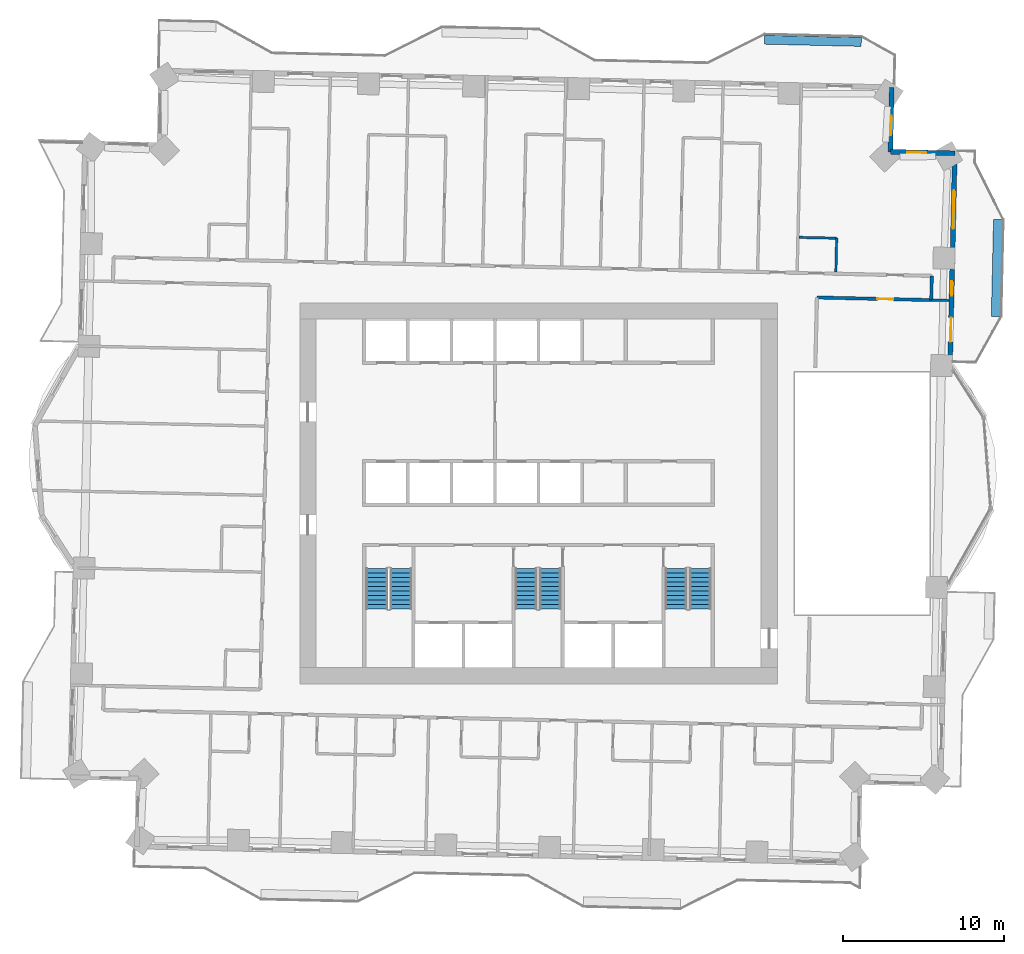
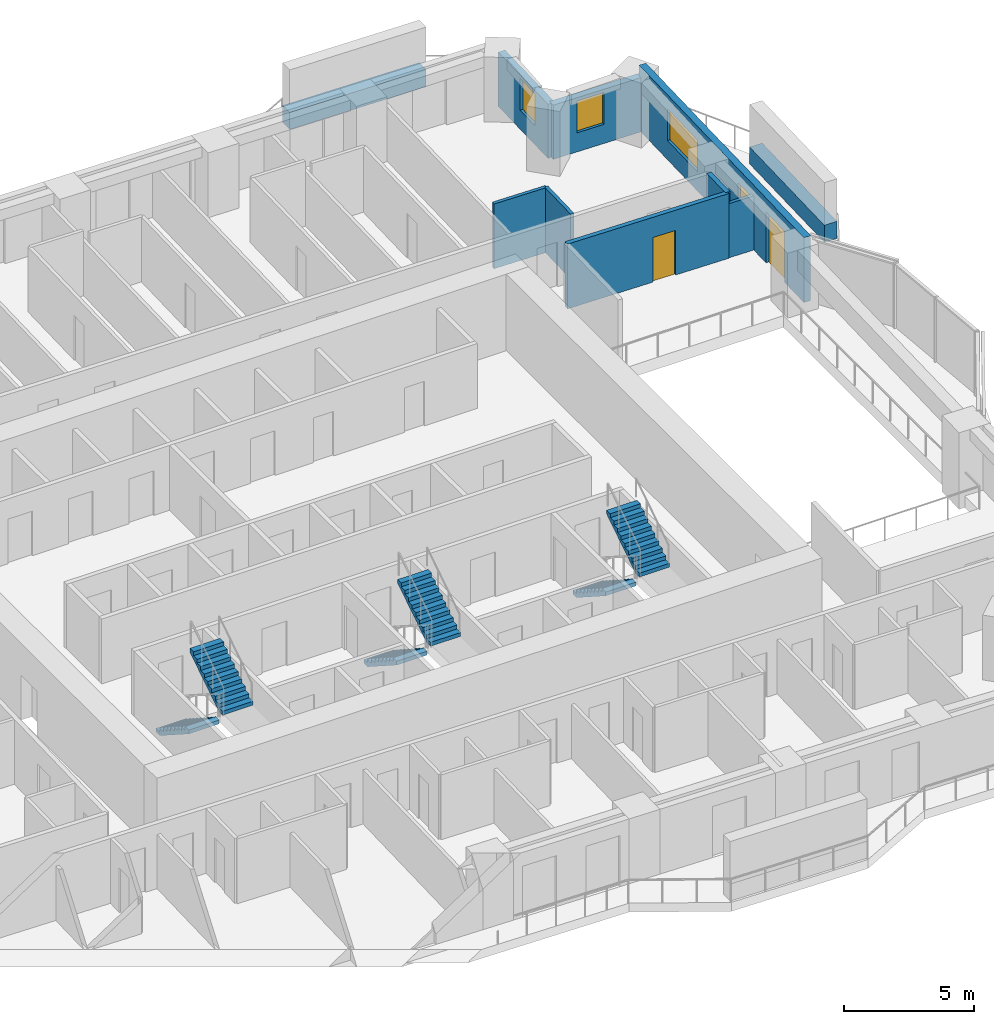
# One storey, part 12 of 16: 10 walls, 6 stair flights, 4 windows, 2 doors, 6 openings, 3 elements without a shape of their own.
"""IFC4 building model written with IfcOpenShell, lengths in metres."""

from ifc_helpers import new_model, si_unit, direction, frame, frame_2d, origin, place, context, subcontext, project, spatial, polyline, rectangle, outline, extrude, material, layer, layer_set, type_object, element, fill, aggregate, save


model = new_model("IFC4")

# Units and contexts
model_context = context("Model", 3, precision=1e-05, world=origin(), true_north=direction((0.0, 1.0)))
body_context = subcontext(model_context, "Body", "Model", "MODEL_VIEW")
ifc_project = project(units=[si_unit("LENGTHUNIT", "METRE"), si_unit("AREAUNIT", "SQUARE_METRE"), si_unit("VOLUMEUNIT", "CUBIC_METRE"), si_unit("PLANEANGLEUNIT", "RADIAN"), si_unit("MASSUNIT", "GRAM", prefix="KILO")], contexts=[model_context])

# Site, building, storey
site_placement = place(None, origin())
site = spatial("IfcSite", under=ifc_project, at=site_placement, CompositionType="ELEMENT")
building_placement = place(site_placement, origin())
building = spatial("IfcBuilding", under=site, at=building_placement, Name="Mangrove Gate Tower", CompositionType="ELEMENT")
storey_placement = place(building_placement, frame((0.0, 0.0, 112.699951171875)))
storey = spatial("IfcBuildingStorey", under=building, at=storey_placement, Name="L28", CompositionType="ELEMENT", Elevation=112.699951171875)

# Wall, opening, door
ifc_material_1 = material(Name="Gypsum board on steel stud, EI 60", Category="steel")
ifc_layer_1 = layer(ifc_material_1, 0.199951171875)
ifc_layer_set_1 = layer_set([ifc_layer_1], Name="Corridor wall EI 60")
wall_type_1 = type_object("IfcWallType", Name="Corridor wall EI 60", PredefinedType="PARTITIONING", material=ifc_layer_set_1)
wall_1_placement = place(storey_placement, frame((17.248046875, 12.14501953125, 0.0), z_axis=(0.0, 0.0, 1.0), x_axis=(0.999742350192, -0.022698749566, 0.0)))
wall_1 = element("IfcWall", 1, at=wall_1_placement, inside=storey, type_object=wall_type_1, Name="WALL-L28-047", PredefinedType="PARTITIONING", context=body_context, shape_type="SweptSolid", body=[
    extrude(rectangle(XDim=7.0986328125, YDim=0.199951171875, at=frame_2d((3.54931640625, 0.0))), origin(), (0.0, 0.0, 1.0), 3.050048828125),
])
opening_1_placement = place(wall_1_placement, frame((3.75, 0.0, 0.0)))
opening_1 = element("IfcOpeningElement", 2, at=opening_1_placement, cuts=wall_1, Name="Opening AD", PredefinedType="OPENING", context=body_context, shape_type="SweptSolid", body=[
    extrude(rectangle(XDim=1.0, YDim=2.10009765625, at=frame_2d((0.5, 1.050048828125))), frame((0.0, 0.10986328125, 0.0), z_axis=(0.0, -1.0, 0.0), x_axis=(1.0, 0.0, 0.0)), (0.0, 0.0, 1.0), 0.219970703125),
])
ifc_material_2 = material(Name="Timber door leaf", Category="wood")
door_type_1 = type_object("IfcDoorType", Name="Amenity door 1000", OperationType="SINGLE_SWING_LEFT", PredefinedType="DOOR", material=ifc_material_2)
door_1_placement = place(opening_1_placement, origin())
door_1 = element("IfcDoor", 3, at=door_1_placement, inside=storey, type_object=door_type_1, Name="DOOR-L28-LNG-c3a", OperationType="SINGLE_SWING_RIGHT", OverallHeight=2.10009765625, OverallWidth=1.0, PredefinedType="DOOR", context=body_context, shape_type="SweptSolid", body=[
    extrude(rectangle(XDim=1.0, YDim=2.10009765625, at=frame_2d((0.5, 1.050048828125))), frame((0.0, 0.02490234375, 0.0), z_axis=(0.0, -1.0, 0.0), x_axis=(1.0, 0.0, 0.0)), (0.0, 0.0, 1.0), 0.050048828125),
])
fill(opening_1, door_1)

# Wall
wall_2_placement = place(storey_placement, frame((24.341064453125, 11.988037109375, 0.0), z_axis=(0.0, 0.0, 1.0), x_axis=(0.022617910375, 0.999744182344, 0.0)))
element("IfcWall", 4, at=wall_2_placement, inside=storey, type_object=wall_type_1, Name="WALL-L28-050", PredefinedType="PARTITIONING", context=body_context, shape_type="SweptSolid", body=[
    extrude(rectangle(XDim=1.50048828125, YDim=0.199951171875, at=frame_2d((0.750244140625, 0.0))), origin(), (0.0, 0.0, 1.0), 3.050048828125),
])

# Wall, openings, door, windows
ifc_material_3 = material(Name="Limestone", Category="masonry")
ifc_layer_2 = layer(ifc_material_3, 0.0400390625, Name="Limestone cladding")
ifc_material_4 = material(Name="Ventilated air gap")
ifc_layer_3 = layer(ifc_material_4, 0.0400390625, Name="Ventilated cavity")
ifc_material_5 = material(Name="Mineral wool insulation")
ifc_layer_4 = layer(ifc_material_5, 0.06005859375, Name="Insulation")
ifc_material_6 = material(Name="Breather membrane")
ifc_layer_5 = layer(ifc_material_6, 0.001953125, Name="Breather membrane")
ifc_material_7 = material(Name="Concrete C20/25 blockwork", Category="masonry")
ifc_layer_6 = layer(ifc_material_7, 0.14990234375, Name="Blockwork backing wall")
ifc_material_8 = material(Name="Gypsum plaster")
ifc_layer_7 = layer(ifc_material_8, 0.008056640625, Name="Internal plaster")
ifc_layer_set_2 = layer_set([ifc_layer_2, ifc_layer_3, ifc_layer_4, ifc_layer_5, ifc_layer_6, ifc_layer_7], Name="External wall 300 limestone cladding")
wall_type_2 = type_object("IfcWallType", Name="External wall 300 limestone cladding", PredefinedType="SOLIDWALL", material=ifc_layer_set_2)
wall_3_placement = place(storey_placement, frame((25.501953125, 7.85693359375, 0.0), z_axis=(0.0, 0.0, 1.0), x_axis=(0.022680323815, 0.999742768372, 0.0)))
wall_3 = element("IfcWall", 5, at=wall_3_placement, inside=storey, type_object=wall_type_2, Name="WALL-L28-E2", PredefinedType="SOLIDWALL", context=body_context, shape_type="SweptSolid", body=[
    extrude(rectangle(XDim=13.2294921875, YDim=0.300048828125, at=frame_2d((6.61474609375, 0.0))), origin(), (0.0, 0.0, 1.0), 3.050048828125),
])
opening_2_placement = place(wall_3_placement, frame((1.5419921875, 0.0, 0.0)))
opening_2 = element("IfcOpeningElement", 6, at=opening_2_placement, cuts=wall_3, Name="Opening BD1", PredefinedType="OPENING", context=body_context, shape_type="SweptSolid", body=[
    extrude(rectangle(XDim=1.5, YDim=2.39990234375, at=frame_2d((0.75, 1.199951171875))), frame((0.0, 0.159912109375, 0.0), z_axis=(0.0, -1.0, 0.0), x_axis=(1.0, 0.0, 0.0)), (0.0, 0.0, 1.0), 0.320068359375),
])
opening_3_placement = place(wall_3_placement, frame((4.403076171875, 0.0, 0.89990234375)))
opening_3 = element("IfcOpeningElement", 7, at=opening_3_placement, cuts=wall_3, Name="Opening W5", PredefinedType="OPENING", context=body_context, shape_type="SweptSolid", body=[
    extrude(rectangle(XDim=0.89990234375, YDim=1.5, at=frame_2d((0.449951171875, 0.75))), frame((0.0, 0.159912109375, 0.0), z_axis=(0.0, -1.0, 0.0), x_axis=(1.0, 0.0, 0.0)), (0.0, 0.0, 1.0), 0.320068359375),
])
opening_4_placement = place(wall_3_placement, frame((8.549072265625, 0.0, 0.89990234375)))
opening_4 = element("IfcOpeningElement", 8, at=opening_4_placement, cuts=wall_3, Name="Opening W2", PredefinedType="OPENING", context=body_context, shape_type="SweptSolid", body=[
    extrude(rectangle(XDim=2.39990234375, YDim=1.5, at=frame_2d((1.199951171875, 0.75))), frame((0.0, 0.159912109375, 0.0), z_axis=(0.0, -1.0, 0.0), x_axis=(1.0, 0.0, 0.0)), (0.0, 0.0, 1.0), 0.320068359375),
])
ifc_material_9 = material(Name="Aluminium frame with laminated clear glass", Category="aluminium")
door_type_2 = type_object("IfcDoorType", Name="Balcony sliding door 1500x2400", OperationType="SLIDING_TO_LEFT", PredefinedType="DOOR", material=ifc_material_9)
door_2_placement = place(opening_2_placement, origin())
door_2 = element("IfcDoor", 9, at=door_2_placement, inside=storey, type_object=door_type_2, Name="DOOR-L28-E2-1", OperationType="SLIDING_TO_LEFT", OverallHeight=2.39990234375, OverallWidth=1.5, PredefinedType="DOOR", context=body_context, shape_type="SweptSolid", body=[
    extrude(rectangle(XDim=1.5, YDim=2.39990234375, at=frame_2d((0.75, 1.199951171875))), frame((0.0, 0.02490234375, 0.0), z_axis=(0.0, -1.0, 0.0), x_axis=(1.0, 0.0, 0.0)), (0.0, 0.0, 1.0), 0.050048828125),
])
fill(opening_2, door_2)
ifc_material_10 = material(Name="Aluminium frame with double-glazed low-e glass", Category="aluminium")
window_type_1 = type_object("IfcWindowType", Name="Corner room window 2400x1500", PartitioningType="DOUBLE_PANEL_VERTICAL", PredefinedType="WINDOW", material=ifc_material_10)
window_1_placement = place(opening_4_placement, origin())
window_1 = element("IfcWindow", 10, at=window_1_placement, inside=storey, type_object=window_type_1, Name="WIN-L28-E2-3", OverallHeight=1.5, OverallWidth=2.39990234375, PartitioningType="DOUBLE_PANEL_VERTICAL", PredefinedType="WINDOW", context=body_context, shape_type="SweptSolid", body=[
    extrude(rectangle(XDim=2.39990234375, YDim=1.5, at=frame_2d((1.199951171875, 0.75))), frame((0.0, 0.030029296875, 0.0), z_axis=(0.0, -1.0, 0.0), x_axis=(1.0, 0.0, 0.0)), (0.0, 0.0, 1.0), 0.06005859375),
])
fill(opening_4, window_1)
ifc_material_11 = material(Name="Aluminium frame with double-glazed low-e glass", Category="aluminium")
window_type_2 = type_object("IfcWindowType", Name="Narrow window 900x1500", PartitioningType="SINGLE_PANEL", PredefinedType="WINDOW", material=ifc_material_11)
window_2_placement = place(opening_3_placement, origin())
window_2 = element("IfcWindow", 11, at=window_2_placement, inside=storey, type_object=window_type_2, Name="WIN-L28-E2-2", OverallHeight=1.5, OverallWidth=0.89990234375, PartitioningType="SINGLE_PANEL", PredefinedType="WINDOW", context=body_context, shape_type="SweptSolid", body=[
    extrude(rectangle(XDim=0.89990234375, YDim=1.5, at=frame_2d((0.449951171875, 0.75))), frame((0.0, 0.030029296875, 0.0), z_axis=(0.0, -1.0, 0.0), x_axis=(1.0, 0.0, 0.0)), (0.0, 0.0, 1.0), 0.06005859375),
])
fill(opening_3, window_2)

# Wall, opening, window
wall_4_placement = place(storey_placement, frame((25.802001953125, 21.0830078125, 0.0), z_axis=(0.0, 0.0, 1.0), x_axis=(-0.999740826251, 0.022765770952, 0.0)))
wall_4 = element("IfcWall", 12, at=wall_4_placement, inside=storey, type_object=wall_type_2, Name="WALL-L28-N3", PredefinedType="SOLIDWALL", context=body_context, shape_type="SweptSolid", body=[
    extrude(rectangle(XDim=4.0, YDim=0.300048828125, at=frame_2d((2.0, 0.0))), origin(), (0.0, 0.0, 1.0), 2.550048828125),
])
opening_5_placement = place(wall_4_placement, frame((1.763916015625, 0.0, 0.89990234375)))
opening_5 = element("IfcOpeningElement", 13, at=opening_5_placement, cuts=wall_4, Name="Opening W1", PredefinedType="OPENING", context=body_context, shape_type="SweptSolid", body=[
    extrude(rectangle(XDim=1.199951171875, YDim=1.5, at=frame_2d((0.60009765625, 0.75))), frame((0.0, 0.159912109375, 0.0), z_axis=(0.0, -1.0, 0.0), x_axis=(1.0, 0.0, 0.0)), (0.0, 0.0, 1.0), 0.320068359375),
])
ifc_material_12 = material(Name="Aluminium frame with double-glazed low-e glass", Category="aluminium")
window_type_3 = type_object("IfcWindowType", Name="Side lite 1200x1500", PartitioningType="SINGLE_PANEL", PredefinedType="WINDOW", material=ifc_material_12)
window_3_placement = place(opening_5_placement, origin())
window_3 = element("IfcWindow", 14, at=window_3_placement, inside=storey, type_object=window_type_3, Name="WIN-L28-N3-1", OverallHeight=1.5, OverallWidth=1.199951171875, PartitioningType="SINGLE_PANEL", PredefinedType="WINDOW", context=body_context, shape_type="SweptSolid", body=[
    extrude(rectangle(XDim=1.199951171875, YDim=1.5, at=frame_2d((0.60009765625, 0.75))), frame((0.0, 0.030029296875, 0.0), z_axis=(0.0, -1.0, 0.0), x_axis=(1.0, 0.0, 0.0)), (0.0, 0.0, 1.0), 0.06005859375),
])
fill(opening_5, window_3)

wall_5_placement = place(storey_placement, frame((21.802978515625, 21.174072265625, 0.0), z_axis=(0.0, 0.0, 1.0), x_axis=(0.022765770952, 0.999740826251, 0.0)))
wall_5 = element("IfcWall", 15, at=wall_5_placement, inside=storey, type_object=wall_type_2, Name="WALL-L28-E4", PredefinedType="SOLIDWALL", context=body_context, shape_type="SweptSolid", body=[
    extrude(rectangle(XDim=4.0, YDim=0.300048828125, at=frame_2d((2.0, 0.0))), origin(), (0.0, 0.0, 1.0), 2.550048828125),
])
opening_6_placement = place(wall_5_placement, frame((1.037109375, 0.0, 0.89990234375)))
opening_6 = element("IfcOpeningElement", 16, at=opening_6_placement, cuts=wall_5, Name="Opening W1", PredefinedType="OPENING", context=body_context, shape_type="SweptSolid", body=[
    extrude(rectangle(XDim=1.199951171875, YDim=1.5, at=frame_2d((0.60009765625, 0.75))), frame((0.0, 0.159912109375, 0.0), z_axis=(0.0, -1.0, 0.0), x_axis=(1.0, 0.0, 0.0)), (0.0, 0.0, 1.0), 0.320068359375),
])
window_4_placement = place(opening_6_placement, origin())
window_4 = element("IfcWindow", 17, at=window_4_placement, inside=storey, type_object=window_type_3, Name="WIN-L28-E4-1", OverallHeight=1.5, OverallWidth=1.199951171875, PartitioningType="SINGLE_PANEL", PredefinedType="WINDOW", context=body_context, shape_type="SweptSolid", body=[
    extrude(rectangle(XDim=1.199951171875, YDim=1.5, at=frame_2d((0.60009765625, 0.75))), frame((0.0, 0.030029296875, 0.0), z_axis=(0.0, -1.0, 0.0), x_axis=(1.0, 0.0, 0.0)), (0.0, 0.0, 1.0), 0.06005859375),
])
fill(opening_6, window_4)

# Walls
ifc_material_13 = material(Name="Gypsum board on steel stud, EI 60", Category="steel")
ifc_layer_8 = layer(ifc_material_13, 0.14990234375)
ifc_layer_set_3 = layer_set([ifc_layer_8], Name="Party wall 150 EI 60")
wall_type_3 = type_object("IfcWallType", Name="Party wall 150 EI 60", PredefinedType="PARTITIONING", material=ifc_layer_set_3)
wall_6_placement = place(storey_placement, frame((24.344970703125, 11.98388671875, 0.0), z_axis=(0.0, 0.0, 1.0), x_axis=(0.9997438932, -0.022630687329, 0.0)))
element("IfcWall", 18, at=wall_6_placement, inside=storey, type_object=wall_type_3, Name="WALL-L28-048", PredefinedType="PARTITIONING", context=body_context, shape_type="SweptSolid", body=[
    extrude(rectangle(XDim=1.100341796875, YDim=0.14990234375, at=frame_2d((0.55029296875, 0.0))), origin(), (0.0, 0.0, 1.0), 2.550048828125),
])
wall_7_placement = place(storey_placement, frame((18.428955078125, 13.722900390625, 0.0), z_axis=(0.0, 0.0, 1.0), x_axis=(0.022906293375, 0.999737616439, 0.0)))
element("IfcWall", 19, at=wall_7_placement, inside=storey, type_object=wall_type_3, Name="WALL-L28-068", PredefinedType="PARTITIONING", context=body_context, shape_type="SweptSolid", body=[
    extrude(rectangle(XDim=2.099609375, YDim=0.14990234375, at=frame_2d((1.0498046875, 0.0))), origin(), (0.0, 0.0, 1.0), 3.050048828125),
])
wall_8_placement = place(storey_placement, frame((16.14794921875, 15.87109375, 0.0), z_axis=(0.0, 0.0, 1.0), x_axis=(0.999740478815, -0.022781023197, 0.0)))
element("IfcWall", 20, at=wall_8_placement, inside=storey, type_object=wall_type_3, Name="WALL-L28-070", PredefinedType="PARTITIONING", context=body_context, shape_type="SweptSolid", body=[
    extrude(rectangle(XDim=2.325439453125, YDim=0.14990234375, at=frame_2d((1.16259765625, 0.0))), origin(), (0.0, 0.0, 1.0), 3.050048828125),
])
ifc_material_14 = material(Name="Concrete C32/40", Category="concrete")
ifc_layer_9 = layer(ifc_material_14, 0.199951171875, Name="Planter trough wall")
ifc_material_15 = material(Name="Bituminous waterproofing membrane")
ifc_layer_10 = layer(ifc_material_15, 0.0048828125, Name="Waterproofing")
ifc_material_16 = material(Name="Drainage board and gravel")
ifc_layer_11 = layer(ifc_material_16, 0.044921875, Name="Drainage layer")
ifc_material_17 = material(Name="Planting soil")
ifc_layer_12 = layer(ifc_material_17, 0.300048828125, Name="Growing medium")
ifc_layer_set_4 = layer_set([ifc_layer_9, ifc_layer_10, ifc_layer_11, ifc_layer_12], Name="Planter wall 550 C32/40")
wall_type_4 = type_object("IfcWallType", Name="Planter wall 550 C32/40", PredefinedType="USERDEFINED", material=ifc_layer_set_4)
for number, where, z_axis, x_axis, name in (
    (21, (28.337890625, 10.972900390625, 0.0), (0.0, 0.0, 1.0), (0.022706615587, 0.999742171567, 0.0), "PLANTER L28 E1.1"),
    (22, (14.0048828125, 28.117919921875, 0.0), (0.0, 0.0, 1.0), (0.999743094499, -0.022665943652, 0.0), "PLANTER L28 N0.1"),
):
    element("IfcWall", number, at=place(storey_placement, frame(where, z_axis=z_axis, x_axis=x_axis)), inside=storey, type_object=wall_type_4, Name=name, ObjectType="PLANTER", PredefinedType="USERDEFINED", context=body_context, shape_type="SweptSolid", body=[
        extrude(rectangle(XDim=5.99951171875, YDim=0.550048828125, at=frame_2d((2.999755859375, 0.0))), origin(), (0.0, 0.0, 1.0), 0.800048828125),
    ])

# Stair, stair flights
ifc_material_18 = material(Name="Concrete C40/50", Category="concrete")
stair_type = type_object("IfcStairType", Name="Core stair 1350", PredefinedType="HALF_TURN_STAIR", material=ifc_material_18)
stair_1_placement = place(storey_placement, origin())
stair_1 = element("IfcStair", 23, at=stair_1_placement, inside=storey, type_object=stair_type, Name="L28 Stair 1", PredefinedType="HALF_TURN_STAIR")
ifc_material_19 = material(Name="Concrete C40/50", Category="concrete")
stair_flight_type = type_object("IfcStairFlightType", Name="Core stair flight 1350", PredefinedType="STRAIGHT", material=ifc_material_19)
stair_flight_1_placement = place(storey_placement, frame((-10.02490234375, -4.64990234375, 0.0), z_axis=(0.0, 0.0, 1.0), x_axis=(0.0, -1.0, 0.0)))
stair_flight_1 = element("IfcStairFlight", 24, at=stair_flight_1_placement, type_object=stair_flight_type, Name="ST1 flight 1", NumberOfRisers=10, NumberOfTreads=9, PredefinedType="STRAIGHT", RiserHeight=0.18, TreadLength=0.28, context=body_context, shape_type="SweptSolid", body=[
    extrude(outline(polyline([(0.0, 0.0), (0.0, 0.179931640625), (0.280029296875, 0.179931640625), (0.280029296875, 0.360107421875), (0.56005859375, 0.360107421875), (0.56005859375, 0.5400390625), (0.840087890625, 0.5400390625), (0.840087890625, 0.719970703125), (1.1201171875, 0.719970703125), (1.1201171875, 0.89990234375), (1.39990234375, 0.89990234375), (1.39990234375, 1.080078125), (1.679931640625, 1.080078125), (1.679931640625, 1.260009765625), (1.9599609375, 1.260009765625), (1.9599609375, 1.43994140625), (2.239990234375, 1.43994140625), (2.239990234375, 1.6201171875), (2.52001953125, 1.6201171875), (2.52001953125, 1.800048828125), (2.52001953125, 1.44189453125), (0.277099609375, 0.0), (0.0, 0.0)])), frame((0.0, 0.675048828125, 0.0), z_axis=(0.0, -1.0, 0.0), x_axis=(1.0, 0.0, 0.0)), (0.0, 0.0, 1.0), 1.35009765625),
])
stair_flight_2_placement = place(storey_placement, frame((-8.52490234375, -7.169921875, 1.800048828125), z_axis=(0.0, 0.0, 1.0), x_axis=(0.0, 1.0, 0.0)))
stair_flight_2 = element("IfcStairFlight", 25, at=stair_flight_2_placement, type_object=stair_flight_type, Name="ST1 flight 2", NumberOfRisers=10, NumberOfTreads=9, PredefinedType="STRAIGHT", RiserHeight=0.18, TreadLength=0.28, context=body_context, shape_type="SweptSolid", body=[
    extrude(outline(polyline([(0.0, 0.0), (0.0, 0.179931640625), (0.280029296875, 0.179931640625), (0.280029296875, 0.360107421875), (0.56005859375, 0.360107421875), (0.56005859375, 0.5400390625), (0.840087890625, 0.5400390625), (0.840087890625, 0.719970703125), (1.1201171875, 0.719970703125), (1.1201171875, 0.89990234375), (1.39990234375, 0.89990234375), (1.39990234375, 1.080078125), (1.679931640625, 1.080078125), (1.679931640625, 1.260009765625), (1.9599609375, 1.260009765625), (1.9599609375, 1.43994140625), (2.239990234375, 1.43994140625), (2.239990234375, 1.6201171875), (2.52001953125, 1.6201171875), (2.52001953125, 1.800048828125), (2.52001953125, 1.44189453125), (0.277099609375, 0.0), (0.0, 0.0)])), frame((0.0, 0.675048828125, 0.0), z_axis=(0.0, -1.0, 0.0), x_axis=(1.0, 0.0, 0.0)), (0.0, 0.0, 1.0), 1.35009765625),
])
aggregate(stair_1, [stair_flight_1, stair_flight_2])

stair_2_placement = place(storey_placement, origin())
stair_2 = element("IfcStair", 26, at=stair_2_placement, inside=storey, type_object=stair_type, Name="L28 Stair 2", PredefinedType="HALF_TURN_STAIR")
stair_flight_3_placement = place(storey_placement, frame((-0.77490234375, -4.64990234375, 0.0), z_axis=(0.0, 0.0, 1.0), x_axis=(0.0, -1.0, 0.0)))
stair_flight_3 = element("IfcStairFlight", 27, at=stair_flight_3_placement, type_object=stair_flight_type, Name="ST2 flight 1", NumberOfRisers=10, NumberOfTreads=9, PredefinedType="STRAIGHT", RiserHeight=0.18, TreadLength=0.28, context=body_context, shape_type="SweptSolid", body=[
    extrude(outline(polyline([(0.0, 0.0), (0.0, 0.179931640625), (0.280029296875, 0.179931640625), (0.280029296875, 0.360107421875), (0.56005859375, 0.360107421875), (0.56005859375, 0.5400390625), (0.840087890625, 0.5400390625), (0.840087890625, 0.719970703125), (1.1201171875, 0.719970703125), (1.1201171875, 0.89990234375), (1.39990234375, 0.89990234375), (1.39990234375, 1.080078125), (1.679931640625, 1.080078125), (1.679931640625, 1.260009765625), (1.9599609375, 1.260009765625), (1.9599609375, 1.43994140625), (2.239990234375, 1.43994140625), (2.239990234375, 1.6201171875), (2.52001953125, 1.6201171875), (2.52001953125, 1.800048828125), (2.52001953125, 1.44189453125), (0.277099609375, 0.0), (0.0, 0.0)])), frame((0.0, 0.675048828125, 0.0), z_axis=(0.0, -1.0, 0.0), x_axis=(1.0, 0.0, 0.0)), (0.0, 0.0, 1.0), 1.35009765625),
])
stair_flight_4_placement = place(storey_placement, frame((0.72509765625, -7.169921875, 1.800048828125), z_axis=(0.0, 0.0, 1.0), x_axis=(0.0, 1.0, 0.0)))
stair_flight_4 = element("IfcStairFlight", 28, at=stair_flight_4_placement, type_object=stair_flight_type, Name="ST2 flight 2", NumberOfRisers=10, NumberOfTreads=9, PredefinedType="STRAIGHT", RiserHeight=0.18, TreadLength=0.28, context=body_context, shape_type="SweptSolid", body=[
    extrude(outline(polyline([(0.0, 0.0), (0.0, 0.179931640625), (0.280029296875, 0.179931640625), (0.280029296875, 0.360107421875), (0.56005859375, 0.360107421875), (0.56005859375, 0.5400390625), (0.840087890625, 0.5400390625), (0.840087890625, 0.719970703125), (1.1201171875, 0.719970703125), (1.1201171875, 0.89990234375), (1.39990234375, 0.89990234375), (1.39990234375, 1.080078125), (1.679931640625, 1.080078125), (1.679931640625, 1.260009765625), (1.9599609375, 1.260009765625), (1.9599609375, 1.43994140625), (2.239990234375, 1.43994140625), (2.239990234375, 1.6201171875), (2.52001953125, 1.6201171875), (2.52001953125, 1.800048828125), (2.52001953125, 1.44189453125), (0.277099609375, 0.0), (0.0, 0.0)])), frame((0.0, 0.675048828125, 0.0), z_axis=(0.0, -1.0, 0.0), x_axis=(1.0, 0.0, 0.0)), (0.0, 0.0, 1.0), 1.35009765625),
])
aggregate(stair_2, [stair_flight_3, stair_flight_4])

stair_3_placement = place(storey_placement, origin())
stair_3 = element("IfcStair", 29, at=stair_3_placement, inside=storey, type_object=stair_type, Name="L28 Stair 3", PredefinedType="HALF_TURN_STAIR")
stair_flight_5_placement = place(storey_placement, frame((8.52490234375, -4.64990234375, 0.0), z_axis=(0.0, 0.0, 1.0), x_axis=(0.0, -1.0, 0.0)))
stair_flight_5 = element("IfcStairFlight", 30, at=stair_flight_5_placement, type_object=stair_flight_type, Name="ST3 flight 1", NumberOfRisers=10, NumberOfTreads=9, PredefinedType="STRAIGHT", RiserHeight=0.18, TreadLength=0.28, context=body_context, shape_type="SweptSolid", body=[
    extrude(outline(polyline([(0.0, 0.0), (0.0, 0.179931640625), (0.280029296875, 0.179931640625), (0.280029296875, 0.360107421875), (0.56005859375, 0.360107421875), (0.56005859375, 0.5400390625), (0.840087890625, 0.5400390625), (0.840087890625, 0.719970703125), (1.1201171875, 0.719970703125), (1.1201171875, 0.89990234375), (1.39990234375, 0.89990234375), (1.39990234375, 1.080078125), (1.679931640625, 1.080078125), (1.679931640625, 1.260009765625), (1.9599609375, 1.260009765625), (1.9599609375, 1.43994140625), (2.239990234375, 1.43994140625), (2.239990234375, 1.6201171875), (2.52001953125, 1.6201171875), (2.52001953125, 1.800048828125), (2.52001953125, 1.44189453125), (0.277099609375, 0.0), (0.0, 0.0)])), frame((0.0, 0.675048828125, 0.0), z_axis=(0.0, -1.0, 0.0), x_axis=(1.0, 0.0, 0.0)), (0.0, 0.0, 1.0), 1.35009765625),
])
stair_flight_6_placement = place(storey_placement, frame((10.02490234375, -7.169921875, 1.800048828125), z_axis=(0.0, 0.0, 1.0), x_axis=(0.0, 1.0, 0.0)))
stair_flight_6 = element("IfcStairFlight", 31, at=stair_flight_6_placement, type_object=stair_flight_type, Name="ST3 flight 2", NumberOfRisers=10, NumberOfTreads=9, PredefinedType="STRAIGHT", RiserHeight=0.18, TreadLength=0.28, context=body_context, shape_type="SweptSolid", body=[
    extrude(outline(polyline([(0.0, 0.0), (0.0, 0.179931640625), (0.280029296875, 0.179931640625), (0.280029296875, 0.360107421875), (0.56005859375, 0.360107421875), (0.56005859375, 0.5400390625), (0.840087890625, 0.5400390625), (0.840087890625, 0.719970703125), (1.1201171875, 0.719970703125), (1.1201171875, 0.89990234375), (1.39990234375, 0.89990234375), (1.39990234375, 1.080078125), (1.679931640625, 1.080078125), (1.679931640625, 1.260009765625), (1.9599609375, 1.260009765625), (1.9599609375, 1.43994140625), (2.239990234375, 1.43994140625), (2.239990234375, 1.6201171875), (2.52001953125, 1.6201171875), (2.52001953125, 1.800048828125), (2.52001953125, 1.44189453125), (0.277099609375, 0.0), (0.0, 0.0)])), frame((0.0, 0.675048828125, 0.0), z_axis=(0.0, -1.0, 0.0), x_axis=(1.0, 0.0, 0.0)), (0.0, 0.0, 1.0), 1.35009765625),
])
aggregate(stair_3, [stair_flight_5, stair_flight_6])

save(model, "model.ifc")
